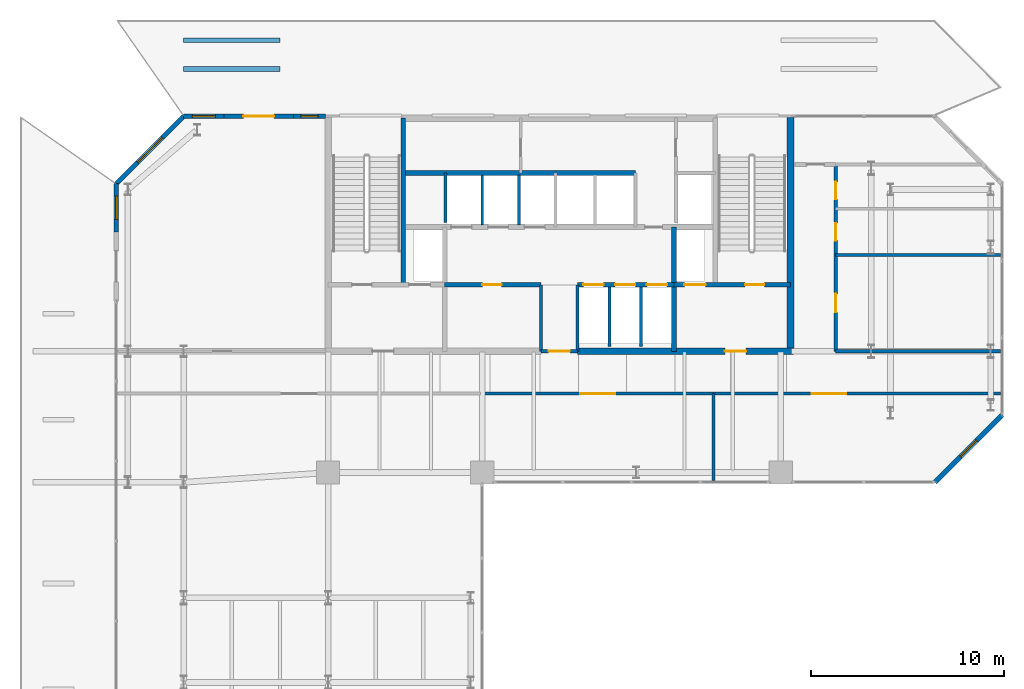
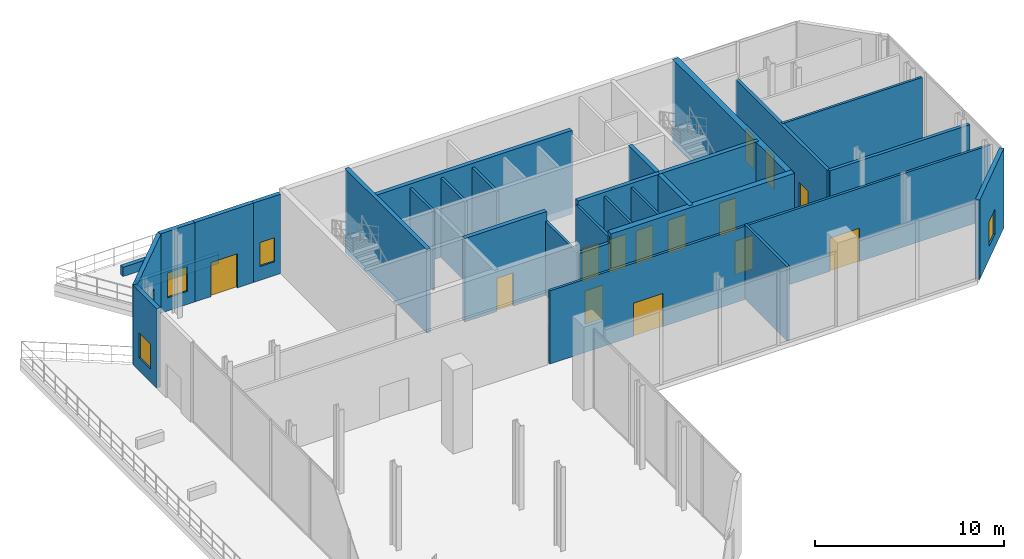
# One storey, part 15 of 18: 29 walls, 14 doors, 5 windows, 19 openings.
"""IFC4 building model written with IfcOpenShell, lengths in metres."""

from ifc_helpers import new_model, si_unit, direction, frame, frame_2d, origin, place, context, subcontext, project, spatial, rectangle, extrude, material, layer, layer_set, type_object, element, fill, save


model = new_model("IFC4")

# Units and contexts
model_context = context("Model", 3, precision=1e-05, world=origin(), true_north=direction((0.0, 1.0)))
body_context = subcontext(model_context, "Body", "Model", "MODEL_VIEW")
ifc_project = project(units=[si_unit("LENGTHUNIT", "METRE"), si_unit("AREAUNIT", "SQUARE_METRE"), si_unit("VOLUMEUNIT", "CUBIC_METRE"), si_unit("PLANEANGLEUNIT", "RADIAN"), si_unit("MASSUNIT", "GRAM", prefix="KILO")], contexts=[model_context])

# Site, building, storey
site_placement = place(None, origin())
site = spatial("IfcSite", under=ifc_project, at=site_placement, CompositionType="ELEMENT")
building_placement = place(site_placement, origin())
building = spatial("IfcBuilding", under=site, at=building_placement, Name="Catumbela Crestline Tower", CompositionType="ELEMENT")
storey_placement = place(building_placement, frame((0.0, 0.0, 148.8)))
storey = spatial("IfcBuildingStorey", under=building, at=storey_placement, Name="L38", CompositionType="ELEMENT", Elevation=148.8)

# Walls
ifc_material_1 = material(Name="Concrete C50/60", Category="concrete")
ifc_layer_1 = layer(ifc_material_1, 0.25, Name="Concrete C50/60")
ifc_layer_set_1 = layer_set([ifc_layer_1], Name="Concrete C50/60")
wall_type_1 = type_object("IfcWallType", Name="CW-250D", PredefinedType="SHEAR", material=ifc_layer_set_1)
wall_1_placement = place(storey_placement, frame((19.9, 34.25, 0.0), z_axis=(0.0, 0.0, 1.0), x_axis=(0.0, 1.0, 0.0)))
element("IfcWall", 1, at=wall_1_placement, inside=storey, type_object=wall_type_1, Name="L38 Structural Core Shear Wall WWEB", PredefinedType="SHEAR", context=body_context, shape_type="SweptSolid", body=[
    extrude(rectangle(XDim=8.65, YDim=0.25, at=frame_2d((4.325, 0.0))), origin(), (0.0, 0.0, 1.0), 5.4),
])
wall_2_placement = place(storey_placement, frame((33.95, 30.8, 0.0), z_axis=(0.0, 0.0, 1.0), x_axis=(0.0, 1.0, 0.0)))
element("IfcWall", 2, at=wall_2_placement, inside=storey, type_object=wall_type_1, Name="L38 Structural Core Shear Wall FFE", PredefinedType="SHEAR", context=body_context, shape_type="SweptSolid", body=[
    extrude(rectangle(XDim=6.45, YDim=0.25, at=frame_2d((3.225, 0.0))), origin(), (0.0, 0.0, 1.0), 5.4),
])

# Wall, openings, doors
wall_3_placement = place(storey_placement, frame((33.95, 34.25, 0.0), z_axis=(0.0, 0.0, 1.0), x_axis=(1.0, 0.0, 0.0)))
wall_3 = element("IfcWall", 3, at=wall_3_placement, inside=storey, type_object=wall_type_1, Name="L38 Structural Core Shear Wall ST2S", PredefinedType="SHEAR", context=body_context, shape_type="SweptSolid", body=[
    extrude(rectangle(XDim=6.05, YDim=0.25, at=frame_2d((3.025, 0.0))), origin(), (0.0, 0.0, 1.0), 5.4),
])
opening_1_placement = place(wall_3_placement, frame((3.7, 0.0, 0.0)))
opening_1 = element("IfcOpeningElement", 4, at=opening_1_placement, cuts=wall_3, Name="Opening DF9-100", PredefinedType="OPENING", context=body_context, shape_type="SweptSolid", body=[
    extrude(rectangle(XDim=1.0, YDim=2.15, at=frame_2d((0.5, 1.075))), frame((0.0, 0.135, 0.0), z_axis=(0.0, -1.0, 0.0), x_axis=(1.0, 0.0, 0.0)), (0.0, 0.0, 1.0), 0.27),
])
opening_2_placement = place(wall_3_placement, frame((0.55, 0.0, 0.0)))
opening_2 = element("IfcOpeningElement", 5, at=opening_2_placement, cuts=wall_3, Name="Opening LD-110", PredefinedType="OPENING", context=body_context, shape_type="SweptSolid", body=[
    extrude(rectangle(XDim=1.1, YDim=2.15, at=frame_2d((0.55, 1.075))), frame((0.0, 0.135, 0.0), z_axis=(0.0, -1.0, 0.0), x_axis=(1.0, 0.0, 0.0)), (0.0, 0.0, 1.0), 0.27),
])
ifc_material_2 = material(Name="Stainless steel EN 1.4401", Category="steel")
door_type_1 = type_object("IfcDoorType", Name="DF9-100", OperationType="NOTDEFINED", PredefinedType="DOOR", material=ifc_material_2)
door_1_placement = place(opening_1_placement, origin())
door_1 = element("IfcDoor", 6, at=door_1_placement, inside=storey, type_object=door_type_1, Name="L38 Interior Door DR-L38-ST02", OperationType="SINGLE_SWING_RIGHT", OverallHeight=2.15, OverallWidth=1.0, PredefinedType="DOOR", context=body_context, shape_type="SweptSolid", body=[
    extrude(rectangle(XDim=1.0, YDim=2.15, at=frame_2d((0.5, 1.075))), frame((0.0, 0.025, 0.0), z_axis=(0.0, -1.0, 0.0), x_axis=(1.0, 0.0, 0.0)), (0.0, 0.0, 1.0), 0.05),
])
fill(opening_1, door_1)
door_type_2 = type_object("IfcDoorType", Name="LD-110", OperationType="NOTDEFINED", PredefinedType="DOOR", material=ifc_material_2)
door_2_placement = place(opening_2_placement, origin())
door_2 = element("IfcDoor", 7, at=door_2_placement, inside=storey, type_object=door_type_2, Name="L38 Lift Landing Sliding Door FL-02", OperationType="DOUBLE_DOOR_SLIDING", OverallHeight=2.15, OverallWidth=1.1, PredefinedType="DOOR", context=body_context, shape_type="SweptSolid", body=[
    extrude(rectangle(XDim=1.1, YDim=2.15, at=frame_2d((0.55, 1.075))), frame((0.0, 0.025, 0.0), z_axis=(0.0, -1.0, 0.0), x_axis=(1.0, 0.0, 0.0)), (0.0, 0.0, 1.0), 0.05),
])
fill(opening_2, door_2)

# Wall, opening, door
wall_4_placement = place(storey_placement, frame((22.05, 34.25, 0.0), z_axis=(0.0, 0.0, 1.0), x_axis=(1.0, 0.0, 0.0)))
wall_4 = element("IfcWall", 8, at=wall_4_placement, inside=storey, type_object=wall_type_1, Name="L38 Structural Core Shear Wall LIFTS-W", PredefinedType="SHEAR", context=body_context, shape_type="SweptSolid", body=[
    extrude(rectangle(XDim=5.0, YDim=0.25, at=frame_2d((2.5, 0.0))), origin(), (0.0, 0.0, 1.0), 5.4),
])
opening_3_placement = place(wall_4_placement, frame((1.95, 0.0, 0.0)))
opening_3 = element("IfcOpeningElement", 9, at=opening_3_placement, cuts=wall_4, Name="Opening DF9-100", PredefinedType="OPENING", context=body_context, shape_type="SweptSolid", body=[
    extrude(rectangle(XDim=1.0, YDim=2.15, at=frame_2d((0.5, 1.075))), frame((0.0, 0.135, 0.0), z_axis=(0.0, -1.0, 0.0), x_axis=(1.0, 0.0, 0.0)), (0.0, 0.0, 1.0), 0.27),
])
door_3_placement = place(opening_3_placement, origin())
door_3 = element("IfcDoor", 10, at=door_3_placement, inside=storey, type_object=door_type_1, Name="L38 Interior Door DR-L38-RECL1", OperationType="SINGLE_SWING_LEFT", OverallHeight=2.15, OverallWidth=1.0, PredefinedType="DOOR", context=body_context, shape_type="SweptSolid", body=[
    extrude(rectangle(XDim=1.0, YDim=2.15, at=frame_2d((0.5, 1.075))), frame((0.0, 0.025, 0.0), z_axis=(0.0, -1.0, 0.0), x_axis=(1.0, 0.0, 0.0)), (0.0, 0.0, 1.0), 0.05),
])
fill(opening_3, door_3)

# Wall, openings, doors
wall_5_placement = place(storey_placement, frame((28.95, 34.25, 0.0), z_axis=(0.0, 0.0, 1.0), x_axis=(1.0, 0.0, 0.0)))
wall_5 = element("IfcWall", 11, at=wall_5_placement, inside=storey, type_object=wall_type_1, Name="L38 Structural Core Shear Wall LIFTS-E", PredefinedType="SHEAR", context=body_context, shape_type="SweptSolid", body=[
    extrude(rectangle(XDim=5.0, YDim=0.25, at=frame_2d((2.5, 0.0))), origin(), (0.0, 0.0, 1.0), 5.4),
])
opening_4_placement = place(wall_5_placement, frame((0.3, 0.0, 0.0)))
opening_4 = element("IfcOpeningElement", 12, at=opening_4_placement, cuts=wall_5, Name="Opening LD-105", PredefinedType="OPENING", context=body_context, shape_type="SweptSolid", body=[
    extrude(rectangle(XDim=1.05, YDim=2.15, at=frame_2d((0.525, 1.075))), frame((0.0, 0.135, 0.0), z_axis=(0.0, -1.0, 0.0), x_axis=(1.0, 0.0, 0.0)), (0.0, 0.0, 1.0), 0.27),
])
opening_5_placement = place(wall_5_placement, frame((1.95, 0.0, 0.0)))
opening_5 = element("IfcOpeningElement", 13, at=opening_5_placement, cuts=wall_5, Name="Opening LD-105", PredefinedType="OPENING", context=body_context, shape_type="SweptSolid", body=[
    extrude(rectangle(XDim=1.05, YDim=2.15, at=frame_2d((0.525, 1.075))), frame((0.0, 0.135, 0.0), z_axis=(0.0, -1.0, 0.0), x_axis=(1.0, 0.0, 0.0)), (0.0, 0.0, 1.0), 0.27),
])
opening_6_placement = place(wall_5_placement, frame((3.6, 0.0, 0.0)))
opening_6 = element("IfcOpeningElement", 14, at=opening_6_placement, cuts=wall_5, Name="Opening LD-105", PredefinedType="OPENING", context=body_context, shape_type="SweptSolid", body=[
    extrude(rectangle(XDim=1.05, YDim=2.15, at=frame_2d((0.525, 1.075))), frame((0.0, 0.135, 0.0), z_axis=(0.0, -1.0, 0.0), x_axis=(1.0, 0.0, 0.0)), (0.0, 0.0, 1.0), 0.27),
])
door_type_3 = type_object("IfcDoorType", Name="LD-105", OperationType="NOTDEFINED", PredefinedType="DOOR", material=ifc_material_2)
door_4_placement = place(opening_4_placement, origin())
door_4 = element("IfcDoor", 15, at=door_4_placement, inside=storey, type_object=door_type_3, Name="L38 Lift Landing Sliding Door PL-M1", OperationType="DOUBLE_DOOR_SLIDING", OverallHeight=2.15, OverallWidth=1.05, PredefinedType="DOOR", context=body_context, shape_type="SweptSolid", body=[
    extrude(rectangle(XDim=1.05, YDim=2.15, at=frame_2d((0.525, 1.075))), frame((0.0, 0.025, 0.0), z_axis=(0.0, -1.0, 0.0), x_axis=(1.0, 0.0, 0.0)), (0.0, 0.0, 1.0), 0.05),
])
fill(opening_4, door_4)
door_5_placement = place(opening_5_placement, origin())
door_5 = element("IfcDoor", 16, at=door_5_placement, inside=storey, type_object=door_type_3, Name="L38 Lift Landing Sliding Door PL-M2", OperationType="DOUBLE_DOOR_SLIDING", OverallHeight=2.15, OverallWidth=1.05, PredefinedType="DOOR", context=body_context, shape_type="SweptSolid", body=[
    extrude(rectangle(XDim=1.05, YDim=2.15, at=frame_2d((0.525, 1.075))), frame((0.0, 0.025, 0.0), z_axis=(0.0, -1.0, 0.0), x_axis=(1.0, 0.0, 0.0)), (0.0, 0.0, 1.0), 0.05),
])
fill(opening_5, door_5)
door_6_placement = place(opening_6_placement, origin())
door_6 = element("IfcDoor", 17, at=door_6_placement, inside=storey, type_object=door_type_3, Name="L38 Lift Landing Sliding Door PL-M3", OperationType="DOUBLE_DOOR_SLIDING", OverallHeight=2.15, OverallWidth=1.05, PredefinedType="DOOR", context=body_context, shape_type="SweptSolid", body=[
    extrude(rectangle(XDim=1.05, YDim=2.15, at=frame_2d((0.525, 1.075))), frame((0.0, 0.025, 0.0), z_axis=(0.0, -1.0, 0.0), x_axis=(1.0, 0.0, 0.0)), (0.0, 0.0, 1.0), 0.05),
])
fill(opening_6, door_6)

# Walls
wall_6_placement = place(storey_placement, frame((19.9, 40.05, 0.0), z_axis=(0.0, 0.0, 1.0), x_axis=(1.0, 0.0, 0.0)))
element("IfcWall", 18, at=wall_6_placement, inside=storey, type_object=wall_type_1, Name="L38 Structural Core Shear Wall COREN", PredefinedType="SHEAR", context=body_context, shape_type="SweptSolid", body=[
    extrude(rectangle(XDim=12.05, YDim=0.25, at=frame_2d((6.025, 0.0))), origin(), (0.0, 0.0, 1.0), 5.4),
])
ifc_layer_2 = layer(ifc_material_1, 0.35, Name="Concrete C50/60")
ifc_layer_set_2 = layer_set([ifc_layer_2], Name="Concrete C50/60")
wall_type_2 = type_object("IfcWallType", Name="CW-350B", PredefinedType="SHEAR", material=ifc_layer_set_2)
wall_7_placement = place(storey_placement, frame((40.0, 30.65, 0.0), z_axis=(0.0, 0.0, 1.0), x_axis=(0.0, 1.0, 0.0)))
element("IfcWall", 19, at=wall_7_placement, inside=storey, type_object=wall_type_2, Name="L38 Structural Core Shear Wall E", PredefinedType="SHEAR", context=body_context, shape_type="SweptSolid", body=[
    extrude(rectangle(XDim=12.3, YDim=0.35, at=frame_2d((6.15, 0.0))), origin(), (0.0, 0.0, 1.0), 5.4),
])

# Wall, opening, door
wall_8_placement = place(storey_placement, frame((28.95, 30.8, 0.0), z_axis=(0.0, 0.0, 1.0), x_axis=(1.0, 0.0, 0.0)))
wall_8 = element("IfcWall", 20, at=wall_8_placement, inside=storey, type_object=wall_type_2, Name="L38 Structural Core Shear Wall SE", PredefinedType="SHEAR", context=body_context, shape_type="SweptSolid", body=[
    extrude(rectangle(XDim=11.2, YDim=0.35, at=frame_2d((5.6, 0.0))), origin(), (0.0, 0.0, 1.0), 5.4),
])
opening_7_placement = place(wall_8_placement, frame((7.65, 0.0, 0.0)))
opening_7 = element("IfcOpeningElement", 21, at=opening_7_placement, cuts=wall_8, Name="Opening DF9-110", PredefinedType="OPENING", context=body_context, shape_type="SweptSolid", body=[
    extrude(rectangle(XDim=1.1, YDim=2.15, at=frame_2d((0.55, 1.075))), frame((0.0, 0.185, 0.0), z_axis=(0.0, -1.0, 0.0), x_axis=(1.0, 0.0, 0.0)), (0.0, 0.0, 1.0), 0.37),
])
door_type_4 = type_object("IfcDoorType", Name="DF9-110", OperationType="NOTDEFINED", PredefinedType="DOOR", material=ifc_material_2)
door_7_placement = place(opening_7_placement, origin())
door_7 = element("IfcDoor", 22, at=door_7_placement, inside=storey, type_object=door_type_4, Name="L38 Interior Door DR-L38-FFE-S", OperationType="SINGLE_SWING_RIGHT", OverallHeight=2.15, OverallWidth=1.1, PredefinedType="DOOR", context=body_context, shape_type="SweptSolid", body=[
    extrude(rectangle(XDim=1.1, YDim=2.15, at=frame_2d((0.55, 1.075))), frame((0.0, 0.025, 0.0), z_axis=(0.0, -1.0, 0.0), x_axis=(1.0, 0.0, 0.0)), (0.0, 0.0, 1.0), 0.05),
])
fill(opening_7, door_7)

ifc_material_3 = material(Name="Acoustic gypsum and mineral-wool partition")
ifc_layer_3 = layer(ifc_material_3, 0.2, Name="Acoustic gypsum and mineral-wool partition")
ifc_layer_set_3 = layer_set([ifc_layer_3], Name="Acoustic gypsum and mineral-wool partition")
wall_type_3 = type_object("IfcWallType", Name="WC-200", PredefinedType="PARTITIONING", material=ifc_layer_set_3)
wall_9_placement = place(storey_placement, frame((27.05, 30.8, 0.0), z_axis=(0.0, 0.0, 1.0), x_axis=(1.0, 0.0, 0.0)))
wall_9 = element("IfcWall", 23, at=wall_9_placement, inside=storey, type_object=wall_type_3, Name="L38 Interior Partition PW-L38-CLOBS", PredefinedType="PARTITIONING", context=body_context, shape_type="SweptSolid", body=[
    extrude(rectangle(XDim=1.9, YDim=0.2, at=frame_2d((0.95, 0.0))), origin(), (0.0, 0.0, 1.0), 4.76),
])
opening_8_placement = place(wall_9_placement, frame((0.4, 0.0, 0.0)))
opening_8 = element("IfcOpeningElement", 24, at=opening_8_placement, cuts=wall_9, Name="Opening DF9-110", PredefinedType="OPENING", context=body_context, shape_type="SweptSolid", body=[
    extrude(rectangle(XDim=1.1, YDim=2.15, at=frame_2d((0.55, 1.075))), frame((0.0, 0.11, 0.0), z_axis=(0.0, -1.0, 0.0), x_axis=(1.0, 0.0, 0.0)), (0.0, 0.0, 1.0), 0.22),
])
door_8_placement = place(opening_8_placement, origin())
door_8 = element("IfcDoor", 25, at=door_8_placement, inside=storey, type_object=door_type_4, Name="L38 Interior Door DR-L38-CLOBS", OperationType="SINGLE_SWING_LEFT", OverallHeight=2.15, OverallWidth=1.1, PredefinedType="DOOR", context=body_context, shape_type="SweptSolid", body=[
    extrude(rectangle(XDim=1.1, YDim=2.15, at=frame_2d((0.55, 1.075))), frame((0.0, 0.025, 0.0), z_axis=(0.0, -1.0, 0.0), x_axis=(1.0, 0.0, 0.0)), (0.0, 0.0, 1.0), 0.05),
])
fill(opening_8, door_8)

# Wall
wall_10_placement = place(storey_placement, frame((42.35, 30.8, 0.0), z_axis=(0.0, 0.0, 1.0), x_axis=(1.0, 0.0, 0.0)))
element("IfcWall", 26, at=wall_10_placement, inside=storey, type_object=wall_type_3, Name="L38 Interior Partition PW-L38-ELNGS", PredefinedType="PARTITIONING", context=body_context, shape_type="SweptSolid", body=[
    extrude(rectangle(XDim=8.55, YDim=0.2, at=frame_2d((4.275, 0.0))), origin(), (0.0, 0.0, 1.0), 4.73),
])

# Wall, openings, doors
wall_11_placement = place(storey_placement, frame((42.35, 30.8, 0.0), z_axis=(0.0, 0.0, 1.0), x_axis=(0.0, 1.0, 0.0)))
wall_11 = element("IfcWall", 27, at=wall_11_placement, inside=storey, type_object=wall_type_3, Name="L38 Interior Partition PW-L38-ELNG", PredefinedType="PARTITIONING", context=body_context, shape_type="SweptSolid", body=[
    extrude(rectangle(XDim=9.7, YDim=0.2, at=frame_2d((4.85, 0.0))), origin(), (0.0, 0.0, 1.0), 4.73),
])
opening_9_placement = place(wall_11_placement, frame((2.025, 0.0, 0.0)))
opening_9 = element("IfcOpeningElement", 28, at=opening_9_placement, cuts=wall_11, Name="Opening DF6-095", PredefinedType="OPENING", context=body_context, shape_type="SweptSolid", body=[
    extrude(rectangle(XDim=0.95, YDim=2.15, at=frame_2d((0.475, 1.075))), frame((0.0, 0.11, 0.0), z_axis=(0.0, -1.0, 0.0), x_axis=(1.0, 0.0, 0.0)), (0.0, 0.0, 1.0), 0.22),
])
opening_10_placement = place(wall_11_placement, frame((5.75, 0.0, 0.0)))
opening_10 = element("IfcOpeningElement", 29, at=opening_10_placement, cuts=wall_11, Name="Opening DI-090", PredefinedType="OPENING", context=body_context, shape_type="SweptSolid", body=[
    extrude(rectangle(XDim=0.9, YDim=2.15, at=frame_2d((0.45, 1.075))), frame((0.0, 0.11, 0.0), z_axis=(0.0, -1.0, 0.0), x_axis=(1.0, 0.0, 0.0)), (0.0, 0.0, 1.0), 0.22),
])
opening_11_placement = place(wall_11_placement, frame((7.8933, 0.0, 0.0)))
opening_11 = element("IfcOpeningElement", 30, at=opening_11_placement, cuts=wall_11, Name="Opening DI-090", PredefinedType="OPENING", context=body_context, shape_type="SweptSolid", body=[
    extrude(rectangle(XDim=0.9, YDim=2.15, at=frame_2d((0.45, 1.075))), frame((0.0, 0.11, 0.0), z_axis=(0.0, -1.0, 0.0), x_axis=(1.0, 0.0, 0.0)), (0.0, 0.0, 1.0), 0.22),
])
ifc_material_4 = material(Name="Aluminium alloy AW-6060-T66", Category="aluminium")
door_type_5 = type_object("IfcDoorType", Name="DF6-095", OperationType="NOTDEFINED", PredefinedType="DOOR", material=ifc_material_4)
door_9_placement = place(opening_9_placement, origin())
door_9 = element("IfcDoor", 31, at=door_9_placement, inside=storey, type_object=door_type_5, Name="L38 Interior Door DR-L38-ELNG", OperationType="SINGLE_SWING_RIGHT", OverallHeight=2.15, OverallWidth=0.95, PredefinedType="DOOR", context=body_context, shape_type="SweptSolid", body=[
    extrude(rectangle(XDim=0.95, YDim=2.15, at=frame_2d((0.475, 1.075))), frame((0.0, 0.025, 0.0), z_axis=(0.0, -1.0, 0.0), x_axis=(1.0, 0.0, 0.0)), (0.0, 0.0, 1.0), 0.05),
])
fill(opening_9, door_9)
door_type_6 = type_object("IfcDoorType", Name="DI-090", OperationType="NOTDEFINED", PredefinedType="DOOR", material=ifc_material_4)
door_10_placement = place(opening_10_placement, origin())
door_10 = element("IfcDoor", 32, at=door_10_placement, inside=storey, type_object=door_type_6, Name="L38 Interior Door DR-L38-WC", OperationType="SINGLE_SWING_RIGHT", OverallHeight=2.15, OverallWidth=0.9, PredefinedType="DOOR", context=body_context, shape_type="SweptSolid", body=[
    extrude(rectangle(XDim=0.9, YDim=2.15, at=frame_2d((0.45, 1.075))), frame((0.0, 0.025, 0.0), z_axis=(0.0, -1.0, 0.0), x_axis=(1.0, 0.0, 0.0)), (0.0, 0.0, 1.0), 0.05),
])
fill(opening_10, door_10)
door_11_placement = place(opening_11_placement, origin())
door_11 = element("IfcDoor", 33, at=door_11_placement, inside=storey, type_object=door_type_6, Name="L38 Interior Door DR-L38-AWC", OperationType="SINGLE_SWING_RIGHT", OverallHeight=2.15, OverallWidth=0.9, PredefinedType="DOOR", context=body_context, shape_type="SweptSolid", body=[
    extrude(rectangle(XDim=0.9, YDim=2.15, at=frame_2d((0.45, 1.075))), frame((0.0, 0.025, 0.0), z_axis=(0.0, -1.0, 0.0), x_axis=(1.0, 0.0, 0.0)), (0.0, 0.0, 1.0), 0.05),
])
fill(opening_11, door_11)

# Wall, opening, window
ifc_material_5 = material(Name="Angolan grey-ochre granite", Category="masonry")
ifc_layer_4 = layer(ifc_material_5, 0.25, Name="Angolan grey-ochre granite")
ifc_layer_set_4 = layer_set([ifc_layer_4], Name="Angolan grey-ochre granite")
wall_type_4 = type_object("IfcWallType", Name="WE-250", PredefinedType="STANDARD", material=ifc_layer_set_4)
wall_12_placement = place(storey_placement, frame((47.5, 24.0, 0.0), z_axis=(0.0, 0.0, 1.0), x_axis=(0.707106781187, 0.707106781187, 0.0)))
wall_12 = element("IfcWall", 34, at=wall_12_placement, inside=storey, type_object=wall_type_4, Name="L38 Granite Punched Window Wall 4-1", PredefinedType="STANDARD", context=body_context, shape_type="SweptSolid", body=[
    extrude(rectangle(XDim=4.9497, YDim=0.25, at=frame_2d((2.4748, 0.0))), origin(), (0.0, 0.0, 1.0), 5.13),
])
opening_12_placement = place(wall_12_placement, frame((1.8748, 0.0, 0.85)))
opening_12 = element("IfcOpeningElement", 35, at=opening_12_placement, cuts=wall_12, Name="Opening WN-02", PredefinedType="OPENING", context=body_context, shape_type="SweptSolid", body=[
    extrude(rectangle(XDim=1.2, YDim=1.6, at=frame_2d((0.6, 0.8))), frame((0.0, 0.135, 0.0), z_axis=(0.0, -1.0, 0.0), x_axis=(1.0, 0.0, 0.0)), (0.0, 0.0, 1.0), 0.27),
])
ifc_material_6 = material(Name="Low-E laminated solar-control double glazing", Category="glass")
window_type_1 = type_object("IfcWindowType", Name="WO-1200", PartitioningType="SINGLE_PANEL", PredefinedType="WINDOW", material=ifc_material_6)
window_1_placement = place(opening_12_placement, origin())
window_1 = element("IfcWindow", 36, at=window_1_placement, inside=storey, type_object=window_type_1, Name="L38 Facade Vision Window 206", OverallHeight=1.6, OverallWidth=1.2, PartitioningType="SINGLE_PANEL", PredefinedType="WINDOW", context=body_context, shape_type="SweptSolid", body=[
    extrude(rectangle(XDim=1.2, YDim=1.6, at=frame_2d((0.6, 0.8))), frame((0.0, 0.03, 0.0), z_axis=(0.0, -1.0, 0.0), x_axis=(1.0, 0.0, 0.0)), (0.0, 0.0, 1.0), 0.06),
])
fill(opening_12, window_1)

# Wall, opening, door
wall_13_placement = place(storey_placement, frame((14.2, 43.0, 0.0), z_axis=(0.0, 0.0, 1.0), x_axis=(-1.0, 0.0, 0.0)))
wall_13 = element("IfcWall", 37, at=wall_13_placement, inside=storey, type_object=wall_type_4, Name="L38 Exterior Threshold Portal Wall DR-L38-TER-N", PredefinedType="STANDARD", context=body_context, shape_type="SweptSolid", body=[
    extrude(rectangle(XDim=3.6, YDim=0.25, at=frame_2d((1.8, 0.0))), origin(), (0.0, 0.0, 1.0), 5.13),
])
opening_13_placement = place(wall_13_placement, frame((1.0, 0.0, 0.0)))
opening_13 = element("IfcOpeningElement", 38, at=opening_13_placement, cuts=wall_13, Name="Opening DT-05", PredefinedType="OPENING", context=body_context, shape_type="SweptSolid", body=[
    extrude(rectangle(XDim=1.6, YDim=2.2, at=frame_2d((0.8, 1.1))), frame((0.0, 0.135, 0.0), z_axis=(0.0, -1.0, 0.0), x_axis=(1.0, 0.0, 0.0)), (0.0, 0.0, 1.0), 0.27),
])
door_type_7 = type_object("IfcDoorType", Name="DT-1600", OperationType="NOTDEFINED", PredefinedType="DOOR", material=ifc_material_4)
door_12_placement = place(opening_13_placement, origin())
door_12 = element("IfcDoor", 39, at=door_12_placement, inside=storey, type_object=door_type_7, Name="L38 North Sky-Garden Terrace Door", OperationType="DOUBLE_DOOR_SINGLE_SWING", OverallHeight=2.2, OverallWidth=1.6, PredefinedType="DOOR", context=body_context, shape_type="SweptSolid", body=[
    extrude(rectangle(XDim=1.6, YDim=2.2, at=frame_2d((0.8, 1.1))), frame((0.0, 0.025, 0.0), z_axis=(0.0, -1.0, 0.0), x_axis=(1.0, 0.0, 0.0)), (0.0, 0.0, 1.0), 0.05),
])
fill(opening_13, door_12)

# Wall, opening, window
wall_14_placement = place(storey_placement, frame((15.86, 43.0, 0.0), z_axis=(0.0, 0.0, 1.0), x_axis=(-1.0, 0.0, 0.0)))
wall_14 = element("IfcWall", 40, at=wall_14_placement, inside=storey, type_object=wall_type_4, Name="L38 Granite Punched Window Wall 7-2", PredefinedType="STANDARD", context=body_context, shape_type="SweptSolid", body=[
    extrude(rectangle(XDim=1.66, YDim=0.25, at=frame_2d((0.83, 0.0))), origin(), (0.0, 0.0, 1.0), 5.13),
])
opening_14_placement = place(wall_14_placement, frame((0.38, 0.0, 0.9)))
opening_14 = element("IfcOpeningElement", 41, at=opening_14_placement, cuts=wall_14, Name="Opening WN-03", PredefinedType="OPENING", context=body_context, shape_type="SweptSolid", body=[
    extrude(rectangle(XDim=0.9, YDim=1.55, at=frame_2d((0.45, 0.775))), frame((0.0, 0.135, 0.0), z_axis=(0.0, -1.0, 0.0), x_axis=(1.0, 0.0, 0.0)), (0.0, 0.0, 1.0), 0.27),
])
window_type_2 = type_object("IfcWindowType", Name="WO-0900", PartitioningType="SINGLE_PANEL", PredefinedType="WINDOW", material=ifc_material_6)
window_2_placement = place(opening_14_placement, origin())
window_2 = element("IfcWindow", 42, at=window_2_placement, inside=storey, type_object=window_type_2, Name="L38 Facade Vision Window 209", OverallHeight=1.55, OverallWidth=0.9, PartitioningType="SINGLE_PANEL", PredefinedType="WINDOW", context=body_context, shape_type="SweptSolid", body=[
    extrude(rectangle(XDim=0.9, YDim=1.55, at=frame_2d((0.45, 0.775))), frame((0.0, 0.03, 0.0), z_axis=(0.0, -1.0, 0.0), x_axis=(1.0, 0.0, 0.0)), (0.0, 0.0, 1.0), 0.06),
])
fill(opening_14, window_2)

wall_15_placement = place(storey_placement, frame((10.6, 43.0, 0.0), z_axis=(0.0, 0.0, 1.0), x_axis=(-1.0, 0.0, 0.0)))
wall_15 = element("IfcWall", 43, at=wall_15_placement, inside=storey, type_object=wall_type_4, Name="L38 Granite Punched Window Wall 7-3", PredefinedType="STANDARD", context=body_context, shape_type="SweptSolid", body=[
    extrude(rectangle(XDim=2.1, YDim=0.25, at=frame_2d((1.05, 0.0))), origin(), (0.0, 0.0, 1.0), 5.13),
])
opening_15_placement = place(wall_15_placement, frame((0.45, 0.0, 0.85)))
opening_15 = element("IfcOpeningElement", 44, at=opening_15_placement, cuts=wall_15, Name="Opening WN-02", PredefinedType="OPENING", context=body_context, shape_type="SweptSolid", body=[
    extrude(rectangle(XDim=1.2, YDim=1.6, at=frame_2d((0.6, 0.8))), frame((0.0, 0.135, 0.0), z_axis=(0.0, -1.0, 0.0), x_axis=(1.0, 0.0, 0.0)), (0.0, 0.0, 1.0), 0.27),
])
window_3_placement = place(opening_15_placement, origin())
window_3 = element("IfcWindow", 45, at=window_3_placement, inside=storey, type_object=window_type_1, Name="L38 Facade Vision Window 210", OverallHeight=1.6, OverallWidth=1.2, PartitioningType="SINGLE_PANEL", PredefinedType="WINDOW", context=body_context, shape_type="SweptSolid", body=[
    extrude(rectangle(XDim=1.2, YDim=1.6, at=frame_2d((0.6, 0.8))), frame((0.0, 0.03, 0.0), z_axis=(0.0, -1.0, 0.0), x_axis=(1.0, 0.0, 0.0)), (0.0, 0.0, 1.0), 0.06),
])
fill(opening_15, window_3)

wall_16_placement = place(storey_placement, frame((8.5, 43.0, 0.0), z_axis=(0.0, 0.0, 1.0), x_axis=(-0.707106781187, -0.707106781187, 0.0)))
wall_16 = element("IfcWall", 46, at=wall_16_placement, inside=storey, type_object=wall_type_4, Name="L38 Granite Punched Window Wall 8-1", PredefinedType="STANDARD", context=body_context, shape_type="SweptSolid", body=[
    extrude(rectangle(XDim=4.9497, YDim=0.25, at=frame_2d((2.4748, 0.0))), origin(), (0.0, 0.0, 1.0), 5.13),
])
opening_16_placement = place(wall_16_placement, frame((1.5749, 0.0, 0.75)))
opening_16 = element("IfcOpeningElement", 47, at=opening_16_placement, cuts=wall_16, Name="Opening WN-01", PredefinedType="OPENING", context=body_context, shape_type="SweptSolid", body=[
    extrude(rectangle(XDim=1.8, YDim=1.85, at=frame_2d((0.9, 0.925))), frame((0.0, 0.135, 0.0), z_axis=(0.0, -1.0, 0.0), x_axis=(1.0, 0.0, 0.0)), (0.0, 0.0, 1.0), 0.27),
])
window_type_3 = type_object("IfcWindowType", Name="WF-1800", PartitioningType="SINGLE_PANEL", PredefinedType="WINDOW", material=ifc_material_6)
window_4_placement = place(opening_16_placement, origin())
window_4 = element("IfcWindow", 48, at=window_4_placement, inside=storey, type_object=window_type_3, Name="L38 Facade Vision Window 211", OverallHeight=1.85, OverallWidth=1.8, PartitioningType="SINGLE_PANEL", PredefinedType="WINDOW", context=body_context, shape_type="SweptSolid", body=[
    extrude(rectangle(XDim=1.8, YDim=1.85, at=frame_2d((0.9, 0.925))), frame((0.0, 0.03, 0.0), z_axis=(0.0, -1.0, 0.0), x_axis=(1.0, 0.0, 0.0)), (0.0, 0.0, 1.0), 0.06),
])
fill(opening_16, window_4)

wall_17_placement = place(storey_placement, frame((5.0, 39.5, 0.0), z_axis=(0.0, 0.0, 1.0), x_axis=(0.0, -1.0, 0.0)))
wall_17 = element("IfcWall", 49, at=wall_17_placement, inside=storey, type_object=wall_type_4, Name="L38 Granite Punched Window Wall 9-1", PredefinedType="STANDARD", context=body_context, shape_type="SweptSolid", body=[
    extrude(rectangle(XDim=2.5, YDim=0.25, at=frame_2d((1.25, 0.0))), origin(), (0.0, 0.0, 1.0), 5.13),
])
opening_17_placement = place(wall_17_placement, frame((0.65, 0.0, 0.85)))
opening_17 = element("IfcOpeningElement", 50, at=opening_17_placement, cuts=wall_17, Name="Opening WN-02", PredefinedType="OPENING", context=body_context, shape_type="SweptSolid", body=[
    extrude(rectangle(XDim=1.2, YDim=1.6, at=frame_2d((0.6, 0.8))), frame((0.0, 0.135, 0.0), z_axis=(0.0, -1.0, 0.0), x_axis=(1.0, 0.0, 0.0)), (0.0, 0.0, 1.0), 0.27),
])
window_5_placement = place(opening_17_placement, origin())
window_5 = element("IfcWindow", 51, at=window_5_placement, inside=storey, type_object=window_type_1, Name="L38 Facade Vision Window 212", OverallHeight=1.6, OverallWidth=1.2, PartitioningType="SINGLE_PANEL", PredefinedType="WINDOW", context=body_context, shape_type="SweptSolid", body=[
    extrude(rectangle(XDim=1.2, YDim=1.6, at=frame_2d((0.6, 0.8))), frame((0.0, 0.03, 0.0), z_axis=(0.0, -1.0, 0.0), x_axis=(1.0, 0.0, 0.0)), (0.0, 0.0, 1.0), 0.06),
])
fill(opening_17, window_5)

# Wall
ifc_layer_5 = layer(ifc_material_3, 0.15, Name="Acoustic gypsum and mineral-wool partition")
ifc_layer_set_5 = layer_set([ifc_layer_5], Name="Acoustic gypsum and mineral-wool partition")
wall_type_5 = type_object("IfcWallType", Name="WP-150", PredefinedType="PARTITIONING", material=ifc_layer_set_5)
wall_18_placement = place(storey_placement, frame((42.35, 35.8, 0.0), z_axis=(0.0, 0.0, 1.0), x_axis=(1.0, 0.0, 0.0)))
element("IfcWall", 52, at=wall_18_placement, inside=storey, type_object=wall_type_5, Name="L38 Interior Partition PW-L38-ELNGN", PredefinedType="PARTITIONING", context=body_context, shape_type="SweptSolid", body=[
    extrude(rectangle(XDim=8.55, YDim=0.15, at=frame_2d((4.275, 0.0))), origin(), (0.0, 0.0, 1.0), 4.73),
])

# Wall, openings, doors
wall_19_placement = place(storey_placement, frame((24.0, 28.6, 0.0), z_axis=(0.0, 0.0, 1.0), x_axis=(1.0, 0.0, 0.0)))
wall_19 = element("IfcWall", 53, at=wall_19_placement, inside=storey, type_object=wall_type_5, Name="L38 Interior Partition PW-L38-SKREC", PredefinedType="PARTITIONING", context=body_context, shape_type="SweptSolid", body=[
    extrude(rectangle(XDim=26.9, YDim=0.15, at=frame_2d((13.45, 0.0))), origin(), (0.0, 0.0, 1.0), 4.73),
])
opening_18_placement = place(wall_19_placement, frame((5.1, 0.0, 0.0)))
opening_18 = element("IfcOpeningElement", 54, at=opening_18_placement, cuts=wall_19, Name="Opening DD-180", PredefinedType="OPENING", context=body_context, shape_type="SweptSolid", body=[
    extrude(rectangle(XDim=1.8, YDim=2.15, at=frame_2d((0.9, 1.075))), frame((0.0, 0.085, 0.0), z_axis=(0.0, -1.0, 0.0), x_axis=(1.0, 0.0, 0.0)), (0.0, 0.0, 1.0), 0.17),
])
opening_19_placement = place(wall_19_placement, frame((17.0989, 0.0, 0.0)))
opening_19 = element("IfcOpeningElement", 55, at=opening_19_placement, cuts=wall_19, Name="Opening DD-180", PredefinedType="OPENING", context=body_context, shape_type="SweptSolid", body=[
    extrude(rectangle(XDim=1.8, YDim=2.15, at=frame_2d((0.9, 1.075))), frame((0.0, 0.085, 0.0), z_axis=(0.0, -1.0, 0.0), x_axis=(1.0, 0.0, 0.0)), (0.0, 0.0, 1.0), 0.17),
])
door_type_8 = type_object("IfcDoorType", Name="DD-180", OperationType="NOTDEFINED", PredefinedType="DOOR", material=ifc_material_4)
door_13_placement = place(opening_18_placement, origin())
door_13 = element("IfcDoor", 56, at=door_13_placement, inside=storey, type_object=door_type_8, Name="L38 Interior Door DR-L38-SKREC", OperationType="DOUBLE_DOOR_SINGLE_SWING", OverallHeight=2.15, OverallWidth=1.8, PredefinedType="DOOR", context=body_context, shape_type="SweptSolid", body=[
    extrude(rectangle(XDim=1.8, YDim=2.15, at=frame_2d((0.9, 1.075))), frame((0.0, 0.025, 0.0), z_axis=(0.0, -1.0, 0.0), x_axis=(1.0, 0.0, 0.0)), (0.0, 0.0, 1.0), 0.05),
])
fill(opening_18, door_13)
door_14_placement = place(opening_19_placement, origin())
door_14 = element("IfcDoor", 57, at=door_14_placement, inside=storey, type_object=door_type_8, Name="L38 Interior Door DR-L38-SKCAF", OperationType="DOUBLE_DOOR_SINGLE_SWING", OverallHeight=2.15, OverallWidth=1.8, PredefinedType="DOOR", context=body_context, shape_type="SweptSolid", body=[
    extrude(rectangle(XDim=1.8, YDim=2.15, at=frame_2d((0.9, 1.075))), frame((0.0, 0.025, 0.0), z_axis=(0.0, -1.0, 0.0), x_axis=(1.0, 0.0, 0.0)), (0.0, 0.0, 1.0), 0.05),
])
fill(opening_19, door_14)

# Walls
wall_20_placement = place(storey_placement, frame((36.0, 24.1, 0.0), z_axis=(0.0, 0.0, 1.0), x_axis=(0.0, 1.0, 0.0)))
element("IfcWall", 58, at=wall_20_placement, inside=storey, type_object=wall_type_5, Name="L38 Interior Partition PW-L38-SKRECE", PredefinedType="PARTITIONING", context=body_context, shape_type="SweptSolid", body=[
    extrude(rectangle(XDim=4.5, YDim=0.15, at=frame_2d((2.25, 0.0))), origin(), (0.0, 0.0, 1.0), 4.81),
])
ifc_material_7 = material(Name="Concrete C40/50", Category="concrete")
ifc_layer_6 = layer(ifc_material_7, 0.25, Name="Concrete C40/50")
ifc_layer_set_6 = layer_set([ifc_layer_6], Name="Concrete C40/50")
wall_type_6 = type_object("IfcWallType", Name="WPL-250", PredefinedType="USERDEFINED", material=ifc_layer_set_6)
for number, where, z_axis, x_axis, name in (
    (59, (8.5, 45.45, -0.02), (0.0, 0.0, 1.0), (1.0, 0.0, 0.0), "L38 Planted Sky-Garden GRC Planter Kerb 17"),
    (60, (8.5, 46.95, -0.02), (0.0, 0.0, 1.0), (1.0, 0.0, 0.0), "L38 Planted Sky-Garden GRC Planter Kerb 18"),
):
    element("IfcWall", number, at=place(storey_placement, frame(where, z_axis=z_axis, x_axis=x_axis)), inside=storey, type_object=wall_type_6, Name=name, ObjectType="PLANTER", PredefinedType="USERDEFINED", context=body_context, shape_type="SweptSolid", body=[
        extrude(rectangle(XDim=5.0, YDim=0.25, at=frame_2d((2.5, 0.0))), origin(), (0.0, 0.0, 1.0), 0.6),
    ])
ifc_layer_7 = layer(ifc_material_3, 0.15, Name="Acoustic gypsum and mineral-wool partition")
ifc_layer_set_7 = layer_set([ifc_layer_7], Name="Acoustic gypsum and mineral-wool partition")
wall_type_7 = type_object("IfcWallType", Name="WS-150", PredefinedType="PLUMBINGWALL", material=ifc_layer_set_7)
wall_21_placement = place(storey_placement, frame((27.05, 30.8, 0.0), z_axis=(0.0, 0.0, 1.0), x_axis=(0.0, 1.0, 0.0)))
element("IfcWall", 61, at=wall_21_placement, inside=storey, type_object=wall_type_7, Name="L38 Interior Partition PW-L38-THRW", PredefinedType="PLUMBINGWALL", context=body_context, shape_type="SweptSolid", body=[
    extrude(rectangle(XDim=3.45, YDim=0.15, at=frame_2d((1.725, 0.0))), origin(), (0.0, 0.0, 1.0), 4.76),
])
wall_22_placement = place(storey_placement, frame((28.95, 30.8, 0.0), z_axis=(0.0, 0.0, 1.0), x_axis=(0.0, 1.0, 0.0)))
element("IfcWall", 62, at=wall_22_placement, inside=storey, type_object=wall_type_7, Name="L38 Interior Partition PW-L38-THRE", PredefinedType="PLUMBINGWALL", context=body_context, shape_type="SweptSolid", body=[
    extrude(rectangle(XDim=3.45, YDim=0.15, at=frame_2d((1.725, 0.0))), origin(), (0.0, 0.0, 1.0), 5.13),
])
for number, where, z_axis, x_axis, name in (
    (63, (30.6, 31.05, 0.0), (0.0, 0.0, 1.0), (0.0, 1.0, 0.0), "L38 Interior Partition PW-L38-SHM1"),
    (64, (32.25, 31.05, 0.0), (0.0, 0.0, 1.0), (0.0, 1.0, 0.0), "L38 Interior Partition PW-L38-SHM2"),
):
    element("IfcWall", number, at=place(storey_placement, frame(where, z_axis=z_axis, x_axis=x_axis)), inside=storey, type_object=wall_type_7, Name=name, PredefinedType="PLUMBINGWALL", context=body_context, shape_type="SweptSolid", body=[
        extrude(rectangle(XDim=3.1, YDim=0.15, at=frame_2d((1.55, 0.0))), origin(), (0.0, 0.0, 1.0), 5.13),
    ])
wall_23_placement = place(storey_placement, frame((22.1, 37.4897, 0.0), z_axis=(0.0, 0.0, 1.0), x_axis=(0.0, 1.0, 0.0)))
element("IfcWall", 65, at=wall_23_placement, inside=storey, type_object=wall_type_7, Name="L38 Interior Partition PW-L38-SHH0", PredefinedType="PLUMBINGWALL", context=body_context, shape_type="SweptSolid", body=[
    extrude(rectangle(XDim=2.5603, YDim=0.15, at=frame_2d((1.2801, 0.0))), origin(), (0.0, 0.0, 1.0), 5.13),
])
for number, where, z_axis, x_axis, name in (
    (66, (24.0, 37.35, 0.0), (0.0, 0.0, 1.0), (0.0, 1.0, 0.0), "L38 Interior Partition PW-L38-SHH1"),
    (67, (25.9, 37.35, 0.0), (0.0, 0.0, 1.0), (0.0, 1.0, 0.0), "L38 Interior Partition PW-L38-SHH2"),
):
    element("IfcWall", number, at=place(storey_placement, frame(where, z_axis=z_axis, x_axis=x_axis)), inside=storey, type_object=wall_type_7, Name=name, PredefinedType="PLUMBINGWALL", context=body_context, shape_type="SweptSolid", body=[
        extrude(rectangle(XDim=2.6, YDim=0.15, at=frame_2d((1.3, 0.0))), origin(), (0.0, 0.0, 1.0), 5.13),
    ])

save(model, "model.ifc")
